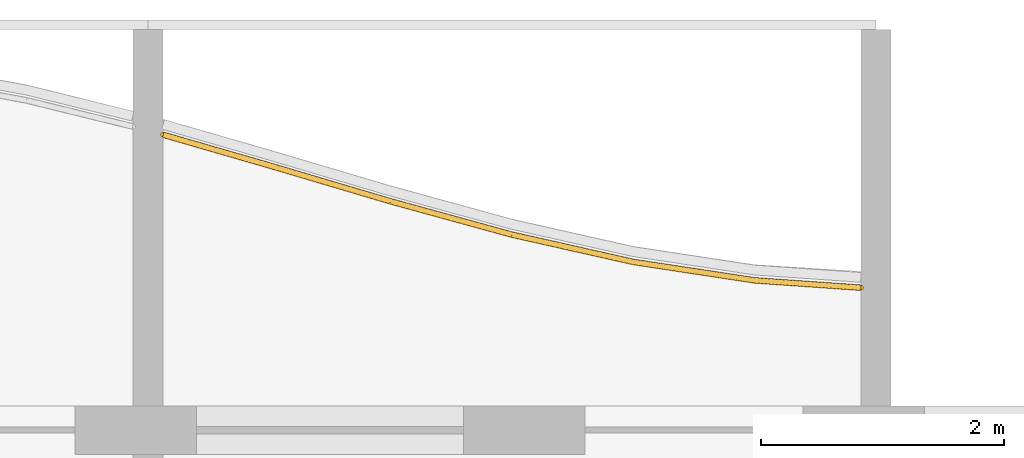
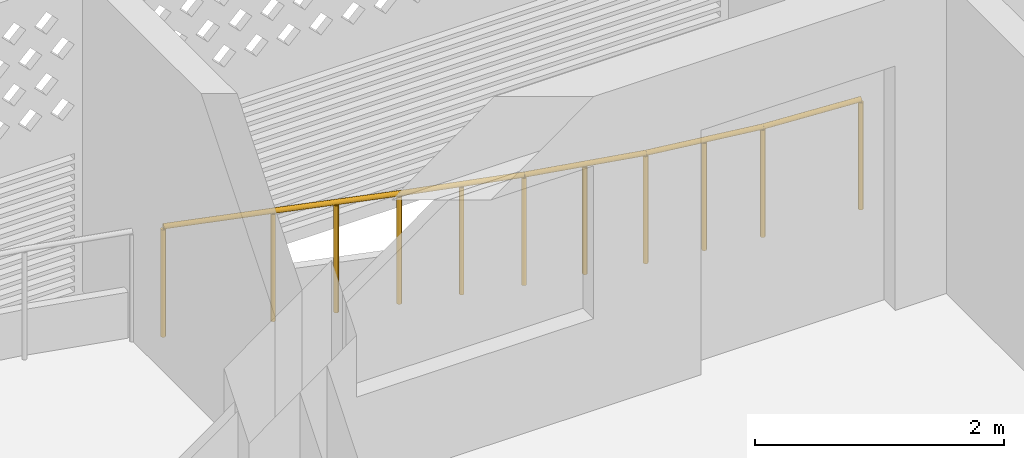
# One storey, part 22 of 29: 1 railing.
"""IFC4 building model written with IfcOpenShell, lengths in metres."""

from ifc_helpers import new_model, si_unit, direction, frame, origin, origin_2d, place, context, subcontext, project, spatial, circle, extrude, material, type_object, element, save


model = new_model("IFC4")

# Units and contexts
model_context = context("Model", 3, precision=1e-05, world=origin(), true_north=direction((0.0, 1.0)))
body_context = subcontext(model_context, "Body", "Model", "MODEL_VIEW")
ifc_project = project(units=[si_unit("LENGTHUNIT", "METRE"), si_unit("AREAUNIT", "SQUARE_METRE"), si_unit("VOLUMEUNIT", "CUBIC_METRE"), si_unit("PLANEANGLEUNIT", "RADIAN"), si_unit("MASSUNIT", "GRAM", prefix="KILO")], contexts=[model_context])

# Site, building, storey
site_placement = place(None, origin())
site = spatial("IfcSite", under=ifc_project, at=site_placement, CompositionType="ELEMENT")
building_placement = place(site_placement, origin())
building = spatial("IfcBuilding", under=site, at=building_placement, Name="Poui Terraces", CompositionType="ELEMENT")
storey_placement = place(building_placement, frame((0.0, 0.0, 237.89990234375)))
storey = spatial("IfcBuildingStorey", under=building, at=storey_placement, Name="L66", CompositionType="ELEMENT", Elevation=237.89990234375)

# Railing
ifc_material = material(Name="Painted steel fretwork", Category="steel")
railing_type = type_object("IfcRailingType", Name="BALCONY GUARD 1100", PredefinedType="GUARDRAIL", material=ifc_material)
railing_placement = place(storey_placement, frame((48.125, 43.634521484375, 0.0)))
element("IfcRailing", 1, at=railing_placement, inside=storey, type_object=railing_type, Name="BALCONY GUARD", PredefinedType="GUARDRAIL", context=body_context, shape_type="SweptSolid", body=[
    extrude(circle(Radius=0.02392578125, at=origin_2d()), frame((0.0, 0.0, 1.076171875), z_axis=(0.960741180178, -0.27744618345, 0.0), x_axis=(0.27744618345, 0.960741180178, 0.0)), (0.0, 0.0, 1.0), 0.91064453125),
    extrude(circle(Radius=0.02392578125, at=origin_2d()), frame((0.875, -0.252685546875, 1.076171875), z_axis=(0.958838249952, -0.283952831346, 0.0), x_axis=(0.283952831346, 0.958838249952, 0.0)), (0.0, 0.0, 1.0), 1.04296875),
    extrude(circle(Radius=0.02392578125, at=origin_2d()), frame((1.875, -0.548828125, 1.076171875), z_axis=(0.964349713042, -0.264631122426, 0.0), x_axis=(0.264631122426, 0.964349713042, 0.0)), (0.0, 0.0, 1.0), 1.036865234375),
    extrude(circle(Radius=0.02392578125, at=origin_2d()), frame((2.875, -0.8232421875, 1.076171875), z_axis=(0.975640353268, -0.219376163418, 0.0), x_axis=(0.219376163418, 0.975640353268, 0.0)), (0.0, 0.0, 1.0), 1.02490234375),
    extrude(circle(Radius=0.02392578125, at=origin_2d()), frame((3.875, -1.048095703125, 1.076171875), z_axis=(0.988665614785, -0.15013428037, 0.0), x_axis=(0.15013428037, 0.988665614785, 0.0)), (0.0, 0.0, 1.0), 1.011474609375),
    extrude(circle(Radius=0.02392578125, at=origin_2d()), frame((4.875, -1.199951171875, 1.076171875), z_axis=(0.997614490352, -0.069031359823, 0.0), x_axis=(0.069031359823, 0.997614490352, 0.0)), (0.0, 0.0, 1.0), 0.877197265625),
    extrude(circle(Radius=0.02099609375, at=origin_2d()), origin(), (0.0, 0.0, 1.0), 1.052001953125),
    extrude(circle(Radius=0.02099609375, at=origin_2d()), frame((0.875, -0.252685546875, 0.0)), (0.0, 0.0, 1.0), 1.052001953125),
    extrude(circle(Radius=0.02099609375, at=origin_2d()), frame((1.375, -0.40087890625, 0.0)), (0.0, 0.0, 1.0), 1.052001953125),
    extrude(circle(Radius=0.02099609375, at=origin_2d()), frame((1.875, -0.548828125, 0.0)), (0.0, 0.0, 1.0), 1.052001953125),
    extrude(circle(Radius=0.02099609375, at=origin_2d()), frame((2.375, -0.68603515625, 0.0)), (0.0, 0.0, 1.0), 1.052001953125),
    extrude(circle(Radius=0.02099609375, at=origin_2d()), frame((2.875, -0.8232421875, 0.0)), (0.0, 0.0, 1.0), 1.052001953125),
    extrude(circle(Radius=0.02099609375, at=origin_2d()), frame((3.375, -0.935546875, 0.0)), (0.0, 0.0, 1.0), 1.052001953125),
    extrude(circle(Radius=0.02099609375, at=origin_2d()), frame((3.875, -1.048095703125, 0.0)), (0.0, 0.0, 1.0), 1.052001953125),
    extrude(circle(Radius=0.02099609375, at=origin_2d()), frame((4.375, -1.1240234375, 0.0)), (0.0, 0.0, 1.0), 1.052001953125),
    extrude(circle(Radius=0.02099609375, at=origin_2d()), frame((4.875, -1.199951171875, 0.0)), (0.0, 0.0, 1.0), 1.052001953125),
    extrude(circle(Radius=0.02099609375, at=origin_2d()), frame((5.75, -1.260498046875, 0.0)), (0.0, 0.0, 1.0), 1.052001953125),
])

save(model, "model.ifc")
